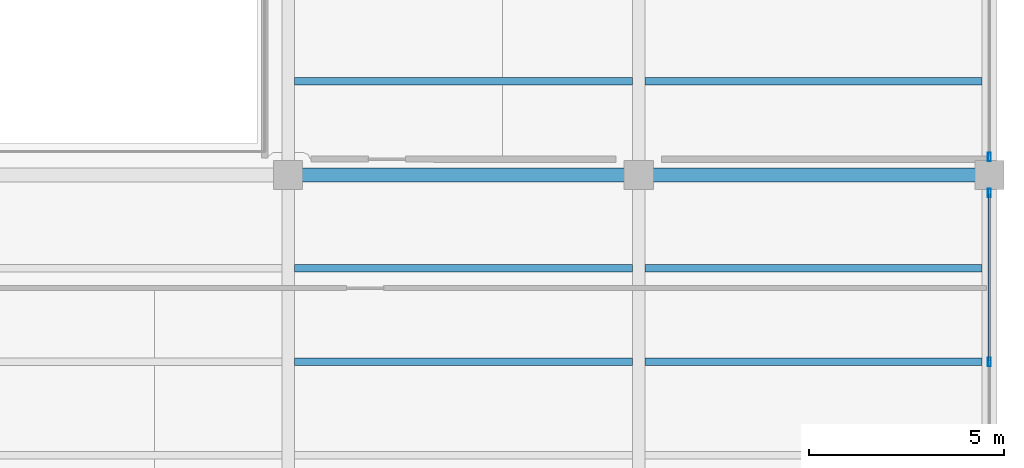
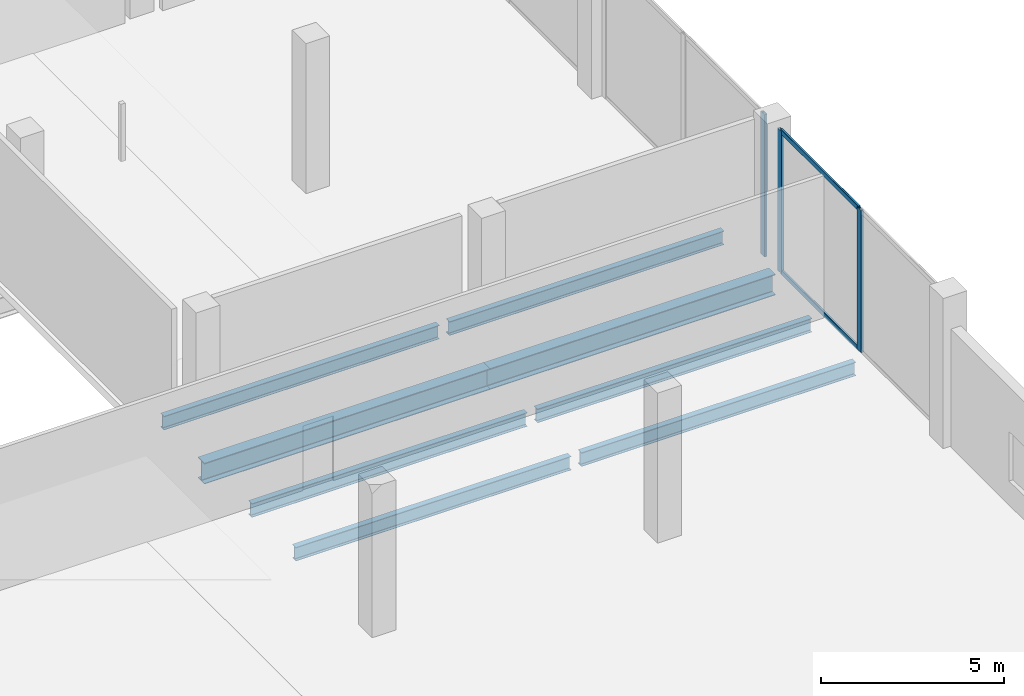
# One storey, part 16 of 47: 8 beams, 5 members, 2 elements without a shape of their own.
"""IFC4 building model written with IfcOpenShell, lengths in metres."""

from ifc_helpers import new_model, si_unit, direction, frame, origin, origin_2d, place, context, subcontext, project, spatial, hollow_rectangle, i_section, extrude, material, layer, layer_set, material_profile, profile_set, type_object, element, aggregate, save


model = new_model("IFC4")

# Units and contexts
model_context = context("Model", 3, precision=1e-05, world=origin(), true_north=direction((0.0, 1.0)))
body_context = subcontext(model_context, "Body", "Model", "MODEL_VIEW")
ifc_project = project(units=[si_unit("LENGTHUNIT", "METRE"), si_unit("AREAUNIT", "SQUARE_METRE"), si_unit("VOLUMEUNIT", "CUBIC_METRE"), si_unit("PLANEANGLEUNIT", "RADIAN"), si_unit("MASSUNIT", "GRAM", prefix="KILO")], contexts=[model_context])

# Site, building, storey
site_placement = place(None, origin())
site = spatial("IfcSite", under=ifc_project, at=site_placement, CompositionType="ELEMENT")
building_placement = place(site_placement, origin())
building = spatial("IfcBuilding", under=site, at=building_placement, Name="Qorvath Tower", CompositionType="ELEMENT")
storey_placement = place(building_placement, frame((0.0, 0.0, 12.0)))
storey = spatial("IfcBuildingStorey", under=building, at=storey_placement, Name="L02", CompositionType="ELEMENT", Elevation=12.0)

# Beams
ifc_material_1 = material(Name="Steel ASTM A992 Grade 50", Category="steel")
ifc_material_profile_1 = material_profile(ifc_material_1, i_section(OverallWidth=0.35595703125, OverallDepth=0.696044921875, WebThickness=0.015380859375, FlangeThickness=0.02490234375, FilletRadius=0.01806640625, at=origin_2d()), Name="W27x146")
ifc_profile_set_1 = profile_set([ifc_material_profile_1], Name="Steel ASTM A992 Grade 50")
beam_type_1 = type_object("IfcBeamType", Name="BM-FG4", PredefinedType="BEAM", material=ifc_profile_set_1)
for number, where, z_axis, x_axis, name in (
    (1, (59.39990234375, -9.60009765625, -0.60791015625), (1.0, 0.0, 0.0), (0.0, 1.0, 0.0), "Library E-W Girder L02-4-4"),
    (2, (68.39990234375, -9.60009765625, -0.60791015625), (1.0, 0.0, 0.0), (0.0, 1.0, 0.0), "Library E-W Girder L02-4-5"),
):
    element("IfcBeam", number, at=place(storey_placement, frame(where, z_axis=z_axis, x_axis=x_axis)), inside=storey, type_object=beam_type_1, Name=name, PredefinedType="BEAM", context=body_context, shape_type="SweptSolid", body=[
        extrude(i_section(OverallWidth=0.35595703125, OverallDepth=0.696044921875, WebThickness=0.015380859375, FlangeThickness=0.02490234375, FilletRadius=0.01806640625, at=origin_2d()), origin(), (0.0, 0.0, 1.0), 9.0),
    ])
ifc_material_2 = material(Name="Steel ASTM A992 Grade 50", Category="steel")
ifc_material_profile_2 = material_profile(ifc_material_2, i_section(OverallWidth=0.18994140625, OverallDepth=0.45703125, WebThickness=0.009033203125, FlangeThickness=0.014404296875, FilletRadius=0.011962890625, at=origin_2d()), Name="W18x50")
ifc_profile_set_2 = profile_set([ifc_material_profile_2], Name="Steel ASTM A992 Grade 50")
beam_type_2 = type_object("IfcBeamType", Name="BM-FJ2", PredefinedType="JOIST", material=ifc_profile_set_2)
beam_1_placement = place(storey_placement, frame((59.560546875, -14.39990234375, -0.488525390625), z_axis=(1.0, 0.0, 0.0), x_axis=(0.0, 1.0, 0.0)))
element("IfcBeam", 3, at=beam_1_placement, inside=storey, type_object=beam_type_2, Name="Library Stack Joist L02-3.2-4", PredefinedType="JOIST", context=body_context, shape_type="SweptSolid", body=[
    extrude(i_section(OverallWidth=0.18994140625, OverallDepth=0.45703125, WebThickness=0.009033203125, FlangeThickness=0.014404296875, FilletRadius=0.011962890625, at=origin_2d()), origin(), (0.0, 0.0, 1.0), 8.678955078125),
])
beam_2_placement = place(storey_placement, frame((68.560546875, -14.39990234375, -0.488525390625), z_axis=(1.0, 0.0, 0.0), x_axis=(0.0, 1.0, 0.0)))
element("IfcBeam", 4, at=beam_2_placement, inside=storey, type_object=beam_type_2, Name="Library Stack Joist L02-3.2-5", PredefinedType="JOIST", context=body_context, shape_type="SweptSolid", body=[
    extrude(i_section(OverallWidth=0.18994140625, OverallDepth=0.45703125, WebThickness=0.009033203125, FlangeThickness=0.014404296875, FilletRadius=0.011962890625, at=origin_2d()), origin(), (0.0, 0.0, 1.0), 8.65087890625),
])
beam_3_placement = place(storey_placement, frame((59.560546875, -12.0, -0.488525390625), z_axis=(1.0, 0.0, 0.0), x_axis=(0.0, 1.0, 0.0)))
element("IfcBeam", 5, at=beam_3_placement, inside=storey, type_object=beam_type_2, Name="Library Stack Joist L02-3.3-4", PredefinedType="JOIST", context=body_context, shape_type="SweptSolid", body=[
    extrude(i_section(OverallWidth=0.18994140625, OverallDepth=0.45703125, WebThickness=0.009033203125, FlangeThickness=0.014404296875, FilletRadius=0.011962890625, at=origin_2d()), origin(), (0.0, 0.0, 1.0), 8.678955078125),
])
beam_4_placement = place(storey_placement, frame((68.560546875, -12.0, -0.488525390625), z_axis=(1.0, 0.0, 0.0), x_axis=(0.0, 1.0, 0.0)))
element("IfcBeam", 6, at=beam_4_placement, inside=storey, type_object=beam_type_2, Name="Library Stack Joist L02-3.3-5", PredefinedType="JOIST", context=body_context, shape_type="SweptSolid", body=[
    extrude(i_section(OverallWidth=0.18994140625, OverallDepth=0.45703125, WebThickness=0.009033203125, FlangeThickness=0.014404296875, FilletRadius=0.011962890625, at=origin_2d()), origin(), (0.0, 0.0, 1.0), 8.65087890625),
])
beam_5_placement = place(storey_placement, frame((59.560546875, -7.199951171875, -0.488525390625), z_axis=(1.0, 0.0, 0.0), x_axis=(0.0, 1.0, 0.0)))
element("IfcBeam", 7, at=beam_5_placement, inside=storey, type_object=beam_type_2, Name="Library Stack Joist L02-4.1-4", PredefinedType="JOIST", context=body_context, shape_type="SweptSolid", body=[
    extrude(i_section(OverallWidth=0.18994140625, OverallDepth=0.45703125, WebThickness=0.009033203125, FlangeThickness=0.014404296875, FilletRadius=0.011962890625, at=origin_2d()), origin(), (0.0, 0.0, 1.0), 8.678955078125),
])
beam_6_placement = place(storey_placement, frame((68.560546875, -7.199951171875, -0.488525390625), z_axis=(1.0, 0.0, 0.0), x_axis=(0.0, 1.0, 0.0)))
element("IfcBeam", 8, at=beam_6_placement, inside=storey, type_object=beam_type_2, Name="Library Stack Joist L02-4.1-5", PredefinedType="JOIST", context=body_context, shape_type="SweptSolid", body=[
    extrude(i_section(OverallWidth=0.18994140625, OverallDepth=0.45703125, WebThickness=0.009033203125, FlangeThickness=0.014404296875, FilletRadius=0.011962890625, at=origin_2d()), origin(), (0.0, 0.0, 1.0), 8.65087890625),
])

# Curtain wall, members
ifc_material_3 = material(Name="Anodised aluminium and triple low-E glass", Category="aluminium")
ifc_layer = layer(ifc_material_3, 0.179931640625)
ifc_layer_set = layer_set([ifc_layer], Name="CW-SYS-6")
curtain_wall_type = type_object("IfcCurtainWallType", Name="CW-SYS-6", PredefinedType="NOTDEFINED", material=ifc_layer_set)
curtain_wall_1_placement = place(storey_placement, origin())
curtain_wall_1 = element("IfcCurtainWall", 9, at=curtain_wall_1_placement, inside=storey, type_object=curtain_wall_type, Name="Curtain Wall CW-6 CW-LIB-E-L02-3", PredefinedType="NOTDEFINED")
ifc_material_4 = material(Name="Anodised aluminium 6063-T6", Category="aluminium")
ifc_material_profile_3 = material_profile(ifc_material_4, hollow_rectangle(XDim=0.080078125, YDim=0.219970703125, WallThickness=0.00439453125, InnerFilletRadius=0.00439453125, OuterFilletRadius=0.009033203125, at=origin_2d()), Name="CWM LIB 220x80")
ifc_profile_set_3 = profile_set([ifc_material_profile_3], Name="Anodised aluminium 6063-T6")
member_type_1 = type_object("IfcMemberType", Name="CWM-LIB", PredefinedType="MULLION", material=ifc_profile_set_3)
member_1_placement = place(storey_placement, frame((77.39990234375, -14.39990234375, 0.0), z_axis=(0.0, 0.0, 1.0), x_axis=(-1.0, 0.0, 0.0)))
member_1 = element("IfcMember", 10, at=member_1_placement, type_object=member_type_1, Name="CW-6 mullion 2", PredefinedType="MULLION", context=body_context, shape_type="SweptSolid", body=[
    extrude(hollow_rectangle(XDim=0.080078125, YDim=0.219970703125, WallThickness=0.00439453125, InnerFilletRadius=0.00439453125, OuterFilletRadius=0.009033203125, at=origin_2d()), origin(), (0.0, 0.0, 1.0), 4.739990234375),
])
member_2_placement = place(storey_placement, frame((77.39990234375, -10.06005859375, 0.0), z_axis=(0.0, 0.0, 1.0), x_axis=(-1.0, 0.0, 0.0)))
member_2 = element("IfcMember", 11, at=member_2_placement, type_object=member_type_1, Name="CW-6 mullion 3", PredefinedType="MULLION", context=body_context, shape_type="SweptSolid", body=[
    extrude(hollow_rectangle(XDim=0.080078125, YDim=0.219970703125, WallThickness=0.00439453125, InnerFilletRadius=0.00439453125, OuterFilletRadius=0.009033203125, at=origin_2d()), origin(), (0.0, 0.0, 1.0), 4.739990234375),
])

# Curtain wall, member
curtain_wall_2_placement = place(storey_placement, origin())
curtain_wall_2 = element("IfcCurtainWall", 12, at=curtain_wall_2_placement, inside=storey, type_object=curtain_wall_type, Name="Curtain Wall CW-6 CW-LIB-E-L02-4", PredefinedType="NOTDEFINED")
member_3_placement = place(storey_placement, frame((77.39990234375, -9.139892578125, 0.0), z_axis=(0.0, 0.0, 1.0), x_axis=(-1.0, 0.0, 0.0)))
member_3 = element("IfcMember", 13, at=member_3_placement, type_object=member_type_1, Name="CW-6 mullion 1", PredefinedType="MULLION", context=body_context, shape_type="SweptSolid", body=[
    extrude(hollow_rectangle(XDim=0.080078125, YDim=0.219970703125, WallThickness=0.00439453125, InnerFilletRadius=0.00439453125, OuterFilletRadius=0.009033203125, at=origin_2d()), origin(), (0.0, 0.0, 1.0), 4.739990234375),
])
aggregate(curtain_wall_2, [member_3])

# Member
ifc_material_5 = material(Name="Anodised aluminium 6063-T6", Category="aluminium")
ifc_material_profile_4 = material_profile(ifc_material_5, hollow_rectangle(XDim=0.06494140625, YDim=0.159912109375, WallThickness=0.00341796875, InnerFilletRadius=0.00341796875, OuterFilletRadius=0.007080078125, at=origin_2d()), Name="CWT 160x65")
ifc_profile_set_4 = profile_set([ifc_material_profile_4], Name="Anodised aluminium 6063-T6")
member_type_2 = type_object("IfcMemberType", Name="CWT-160", PredefinedType="USERDEFINED", material=ifc_profile_set_4)
member_4_placement = place(storey_placement, frame((77.39990234375, -14.360107421875, 0.032470703125), z_axis=(0.0, 1.0, 0.0), x_axis=(-1.0, 0.0, 0.0)))
member_4 = element("IfcMember", 14, at=member_4_placement, type_object=member_type_2, Name="CW-6 transom 2.1", ObjectType="TRANSOM", PredefinedType="USERDEFINED", context=body_context, shape_type="SweptSolid", body=[
    extrude(hollow_rectangle(XDim=0.06494140625, YDim=0.159912109375, WallThickness=0.00341796875, InnerFilletRadius=0.00341796875, OuterFilletRadius=0.007080078125, at=origin_2d()), origin(), (0.0, 0.0, 1.0), 4.260009765625),
])

member_5_placement = place(storey_placement, frame((77.39990234375, -14.360107421875, 4.70751953125), z_axis=(0.0, 1.0, 0.0), x_axis=(-1.0, 0.0, 0.0)))
member_5 = element("IfcMember", 15, at=member_5_placement, type_object=member_type_2, Name="CW-6 transom 2.2", ObjectType="TRANSOM", PredefinedType="USERDEFINED", context=body_context, shape_type="SweptSolid", body=[
    extrude(hollow_rectangle(XDim=0.06494140625, YDim=0.159912109375, WallThickness=0.00341796875, InnerFilletRadius=0.00341796875, OuterFilletRadius=0.007080078125, at=origin_2d()), origin(), (0.0, 0.0, 1.0), 4.260009765625),
])

aggregate(curtain_wall_1, [member_1, member_2, member_4, member_5])

save(model, "model.ifc")
